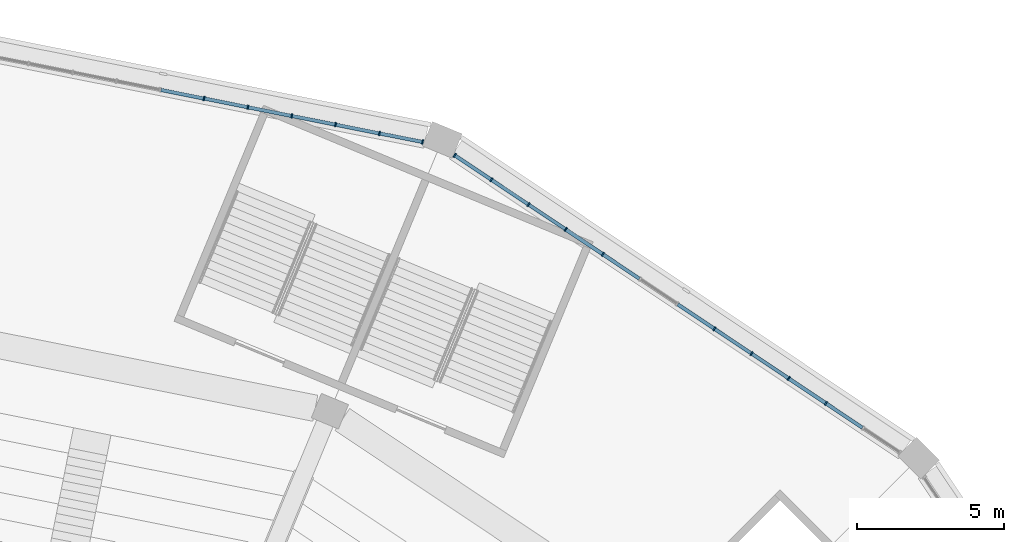
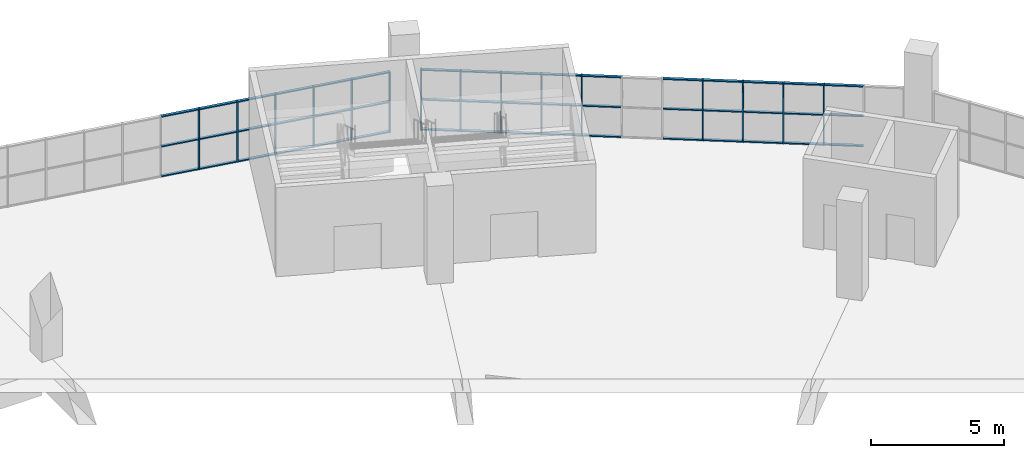
# One storey, part 60 of 249: 63 members, 2 elements without a shape of their own.
"""IFC4 building model written with IfcOpenShell, lengths in metres."""

import ifcopenshell
import ifcopenshell.guid

model = None  # the IFC model being written
_history = None  # IfcOwnerHistory: only IFC2X3 demands one
_inside = {}  # id of a spatial element -> (the spatial element, [elements in it])
_under = {}  # id of a project, library or spatial element -> (it, [spatial elements below it])
_declared = {}  # id of a project -> (the project, [libraries it declares])
_typed = {}  # id of a type object -> (the type object, [elements of that type])
_made_of = {}  # id of a material, layer set ... -> (it, [elements and type objects made of it])


def new_model(schema):
    """Start an empty IFC model of exactly this schema.

    Asked for "IFC4X3", IfcOpenShell would pick the latest addendum, in which some entities
    have other attributes; the version numbers below select the first issue.
    IFC2X3 requires an IfcOwnerHistory on every rooted entity: one is made here for all.
    """
    global model, _history
    if schema == "IFC4X3":
        model = ifcopenshell.file(schema_version=(4, 3, 0, 0))
    else:
        model = ifcopenshell.file(schema=schema)
    _inside.clear()
    _under.clear()
    _declared.clear()
    _typed.clear()
    _made_of.clear()
    _history = None
    if model.schema == "IFC2X3":
        org = make("IfcOrganization", Name="unknown")
        user = make(
            "IfcPersonAndOrganization",
            ThePerson=make("IfcPerson", FamilyName="unknown"),
            TheOrganization=org,
        )
        app = make(
            "IfcApplication",
            ApplicationDeveloper=org,
            Version="unknown",
            ApplicationFullName="unknown",
            ApplicationIdentifier="unknown",
        )
        _history = make(
            "IfcOwnerHistory",
            OwningUser=user,
            OwningApplication=app,
            ChangeAction="ADDED",
            CreationDate=0,
        )
    return model


def make(cls, **values):
    """One entity of the class cls with the attributes given. An attribute that is None is left unset."""
    return model.create_entity(
        cls, **{name: value for name, value in values.items() if value is not None}
    )


def rooted(cls, **values):
    """An entity with a GlobalId (a new one), such as an element, a storey or a relation."""
    return make(cls, GlobalId=ifcopenshell.guid.new(), OwnerHistory=_history, **values)


def si_unit(unit_type, name, prefix=None):
    """IfcSIUnit, for example si_unit("LENGTHUNIT", "METRE", prefix="MILLI")."""
    return make("IfcSIUnit", UnitType=unit_type, Prefix=prefix, Name=name)


def assignment(units):
    """IfcUnitAssignment: the units of a project."""
    return None if units is None else make("IfcUnitAssignment", Units=units)


def point(xyz):
    """IfcCartesianPoint."""
    return None if xyz is None else make("IfcCartesianPoint", Coordinates=xyz)


def direction(xyz):
    """IfcDirection."""
    return None if xyz is None else make("IfcDirection", DirectionRatios=xyz)


def frame(location, z_axis=None, x_axis=None):
    """IfcAxis2Placement3D, a coordinate frame: its origin and axes. An axis left out is left unset."""
    return make(
        "IfcAxis2Placement3D",
        Location=point(location),
        Axis=direction(z_axis),
        RefDirection=direction(x_axis),
    )


def frame_2d(location, x_axis=None):
    """IfcAxis2Placement2D, a coordinate frame in the plane: its origin and x axis."""
    return make(
        "IfcAxis2Placement2D", Location=point(location), RefDirection=direction(x_axis)
    )


def origin():
    """The frame at (0, 0, 0) with its axes left unset."""
    return frame((0.0, 0.0, 0.0))


def origin_2d():
    """The frame at (0, 0) in the plane with its x axis left unset."""
    return frame_2d((0.0, 0.0))


def place(relative_to, where):
    """IfcLocalPlacement: puts the frame where relative to a parent placement (None: the world)."""
    return make(
        "IfcLocalPlacement", PlacementRelTo=relative_to, RelativePlacement=where
    )


def context(
    kind, dimensions, precision=None, world=None, true_north=None, identifier=None
):
    """IfcGeometricRepresentationContext, for example the 3D "Model" context."""
    return make(
        "IfcGeometricRepresentationContext",
        ContextIdentifier=identifier,
        ContextType=kind,
        CoordinateSpaceDimension=dimensions,
        Precision=precision,
        WorldCoordinateSystem=world,
        TrueNorth=true_north,
    )


def subcontext(parent, identifier, kind, view, scale=None):
    """IfcGeometricRepresentationSubContext, for example "Body" below "Model"."""
    return make(
        "IfcGeometricRepresentationSubContext",
        ContextIdentifier=identifier,
        ContextType=kind,
        ParentContext=parent,
        TargetScale=scale,
        TargetView=view,
    )


def project(units=None, contexts=None):
    """IfcProject with its units and contexts."""
    return rooted(
        "IfcProject",
        Name="project",
        RepresentationContexts=contexts,
        UnitsInContext=assignment(units),
    )


def spatial(cls, under=None, at=None, **own):
    """A site, building, storey or space (cls), placed at a placement, below another one or the project."""
    s = rooted(cls, ObjectPlacement=at, **own)
    if under is not None:
        _under.setdefault(under.id(), (under, []))[1].append(s)
    return s


def profile(cls, at=None, kind="AREA", **sizes):
    """A parametric profile (cls). Its sizes go by their IFC names, for example OverallWidth=200.0."""
    return make(cls, ProfileType=kind, Position=at, **sizes)


def rectangle(**sizes):
    """IfcRectangleProfileDef."""
    return profile("IfcRectangleProfileDef", **sizes)


def extrude(swept, where, along, depth):
    """IfcExtrudedAreaSolid: the profile swept, set in the frame where, extruded along a direction by depth."""
    return make(
        "IfcExtrudedAreaSolid",
        SweptArea=swept,
        Position=where,
        ExtrudedDirection=direction(along),
        Depth=depth,
    )


def shape(context_of_items, identifier, shape_type, items):
    """IfcShapeRepresentation: the items that make up one representation, for example the "Body"."""
    return make(
        "IfcShapeRepresentation",
        ContextOfItems=context_of_items,
        RepresentationIdentifier=identifier,
        RepresentationType=shape_type,
        Items=items,
    )


def material(Name=None, Category=None):
    """IfcMaterial."""
    return make("IfcMaterial", Name=Name, Category=Category)


def material_profile(
    of_material, cross_section, Name=None, Category=None, Priority=None
):
    """IfcMaterialProfile: a cross section and its material."""
    return make(
        "IfcMaterialProfile",
        Name=Name,
        Material=of_material,
        Profile=cross_section,
        Priority=Priority,
        Category=Category,
    )


def profile_set(profiles, Name=None, composite=None):
    """IfcMaterialProfileSet."""
    return make(
        "IfcMaterialProfileSet",
        Name=Name,
        MaterialProfiles=profiles,
        CompositeProfile=composite,
    )


def made_of(thing, what):
    """Note that an element or type object is made of a material, layer set ...; save() writes the relation."""
    if what is not None:
        _made_of.setdefault(what.id(), (what, []))[1].append(thing)
    return thing


def type_object(cls, material=None, **own):
    """A type object (cls), such as IfcWallType, which elements share."""
    return made_of(rooted(cls, **own), material)


def element(
    cls,
    number,
    at=None,
    inside=None,
    cuts=None,
    type_object=None,
    material=None,
    context=None,
    identifier="Body",
    shape_type=None,
    held_by="IfcProductDefinitionShape",
    body=None,
    shapes=None,
    **own,
):
    """One element of the class cls, such as IfcWall. Its Tag is "e" and its number.

    at: its placement. inside: the storey or other place that contains it. cuts: it is an
    opening in that element (IfcRelVoidsElement). A single representation is given by context,
    identifier, shape_type and body (its items); several are given by shapes. held_by: the class
    of the entity that holds the representations. save() writes the other relations.
    """
    e = rooted(cls, Tag="e%d" % number, ObjectPlacement=at, **own)
    if body is not None:
        shapes = [shape(context, identifier, shape_type, body)]
    if shapes is not None:
        e.Representation = make(held_by, Representations=shapes)
    if inside is not None:
        _inside.setdefault(inside.id(), (inside, []))[1].append(e)
    if cuts is not None:
        rooted(
            "IfcRelVoidsElement", RelatingBuildingElement=cuts, RelatedOpeningElement=e
        )
    if type_object is not None:
        _typed.setdefault(type_object.id(), (type_object, []))[1].append(e)
    return made_of(e, material)


def aggregate(whole, parts):
    """IfcRelAggregates: a whole, such as a stair, and the parts it consists of."""
    return rooted("IfcRelAggregates", RelatingObject=whole, RelatedObjects=parts)


def save(model, path):
    """Write the relations noted so far, then the file.

    IfcRelAggregates (storeys below a building ...), IfcRelContainedInSpatialStructure (elements
    in a storey), IfcRelDefinesByType, IfcRelAssociatesMaterial and IfcRelDeclares: one each for
    every whole, place, type object, material and project.
    """
    for whole, parts in _under.values():
        aggregate(whole, parts)
    for where, things in _inside.values():
        rooted(
            "IfcRelContainedInSpatialStructure",
            RelatedElements=things,
            RelatingStructure=where,
        )
    for kind, things in _typed.values():
        rooted("IfcRelDefinesByType", RelatedObjects=things, RelatingType=kind)
    for what, things in _made_of.values():
        rooted("IfcRelAssociatesMaterial", RelatedObjects=things, RelatingMaterial=what)
    for by, libraries in _declared.values():
        rooted("IfcRelDeclares", RelatingContext=by, RelatedDefinitions=libraries)
    model.write(path)


model = new_model("IFC4")

# Units and contexts
model_context = context("Model", 3, precision=1e-05, world=origin(), true_north=direction((0.0, 1.0)))
body_context = subcontext(model_context, "Body", "Model", "MODEL_VIEW")
ifc_project = project(units=[si_unit("LENGTHUNIT", "METRE"), si_unit("AREAUNIT", "SQUARE_METRE"), si_unit("VOLUMEUNIT", "CUBIC_METRE"), si_unit("PLANEANGLEUNIT", "RADIAN"), si_unit("MASSUNIT", "GRAM", prefix="KILO")], contexts=[model_context])

# Site, building, storey
site_placement = place(None, origin())
site = spatial("IfcSite", under=ifc_project, at=site_placement, CompositionType="ELEMENT")
building_placement = place(site_placement, origin())
building = spatial("IfcBuilding", under=site, at=building_placement, Name="Ogive Plaza Stadium", CompositionType="ELEMENT")
storey_placement = place(building_placement, frame((0.0, 0.0, 13.5)))
storey = spatial("IfcBuildingStorey", under=building, at=storey_placement, Name="L03", CompositionType="ELEMENT", Elevation=13.5)

# Curtain wall, members
ifc_material_1 = material(Name="Bronze-anodised aluminium with laminated glass", Category="aluminium")
curtain_wall_type = type_object("IfcCurtainWallType", Name="Lancet curtain wall", PredefinedType="NOTDEFINED", material=ifc_material_1)
curtain_wall_1_placement = place(storey_placement, origin())
curtain_wall_1 = element("IfcCurtainWall", 1, at=curtain_wall_1_placement, inside=storey, type_object=curtain_wall_type, Name="CURTAIN WALL B37 L03", PredefinedType="NOTDEFINED")
ifc_material_2 = material(Name="Bronze-anodised aluminium", Category="aluminium")
ifc_material_profile_1 = material_profile(ifc_material_2, rectangle(XDim=0.14990234375, YDim=0.050048828125, at=origin_2d()), Name="AL 150x50")
ifc_profile_set_1 = profile_set([ifc_material_profile_1], Name="Bronze-anodised aluminium")
member_type_1 = type_object("IfcMemberType", Name="Curtain wall mullion 50x150", PredefinedType="MULLION", material=ifc_profile_set_1)
member_1_placement = place(storey_placement, frame((45.021240234375, 100.103759765625, 0.0), z_axis=(0.0, 0.0, 1.0), x_axis=(0.195090322033, 0.9807852804, 0.0)))
member_1 = element("IfcMember", 2, at=member_1_placement, type_object=member_type_1, Name="CW-B37-L03 mullion 8", PredefinedType="MULLION", context=body_context, shape_type="SweptSolid", body=[
    extrude(rectangle(XDim=0.14990234375, YDim=0.050048828125, at=origin_2d()), origin(), (0.0, 0.0, 1.0), 2.7900390625),
])
member_2_placement = place(storey_placement, frame((46.51416015625, 99.806884765625, 0.0), z_axis=(0.0, 0.0, 1.0), x_axis=(0.195090322033, 0.9807852804, 0.0)))
member_2 = element("IfcMember", 3, at=member_2_placement, type_object=member_type_1, Name="CW-B37-L03 mullion 9", PredefinedType="MULLION", context=body_context, shape_type="SweptSolid", body=[
    extrude(rectangle(XDim=0.14990234375, YDim=0.050048828125, at=origin_2d()), origin(), (0.0, 0.0, 1.0), 2.7900390625),
])
member_3_placement = place(storey_placement, frame((48.00732421875, 99.509765625, 0.0), z_axis=(0.0, 0.0, 1.0), x_axis=(0.195090322033, 0.9807852804, 0.0)))
member_3 = element("IfcMember", 4, at=member_3_placement, type_object=member_type_1, Name="CW-B37-L03 mullion 10", PredefinedType="MULLION", context=body_context, shape_type="SweptSolid", body=[
    extrude(rectangle(XDim=0.14990234375, YDim=0.050048828125, at=origin_2d()), origin(), (0.0, 0.0, 1.0), 2.7900390625),
])
member_4_placement = place(storey_placement, frame((49.50048828125, 99.212890625, 0.0), z_axis=(0.0, 0.0, 1.0), x_axis=(0.195090322033, 0.9807852804, 0.0)))
member_4 = element("IfcMember", 5, at=member_4_placement, type_object=member_type_1, Name="CW-B37-L03 mullion 11", PredefinedType="MULLION", context=body_context, shape_type="SweptSolid", body=[
    extrude(rectangle(XDim=0.14990234375, YDim=0.050048828125, at=origin_2d()), origin(), (0.0, 0.0, 1.0), 2.7900390625),
])
member_5_placement = place(storey_placement, frame((50.99365234375, 98.915771484375, 0.0), z_axis=(0.0, 0.0, 1.0), x_axis=(0.195090322033, 0.9807852804, 0.0)))
member_5 = element("IfcMember", 6, at=member_5_placement, type_object=member_type_1, Name="CW-B37-L03 mullion 12", PredefinedType="MULLION", context=body_context, shape_type="SweptSolid", body=[
    extrude(rectangle(XDim=0.14990234375, YDim=0.050048828125, at=origin_2d()), origin(), (0.0, 0.0, 1.0), 2.7900390625),
])
member_6_placement = place(storey_placement, frame((52.462158203125, 98.623779296875, 0.0), z_axis=(0.0, 0.0, 1.0), x_axis=(0.195090322033, 0.9807852804, 0.0)))
member_6 = element("IfcMember", 7, at=member_6_placement, type_object=member_type_1, Name="CW-B37-L03 mullion 13", PredefinedType="MULLION", context=body_context, shape_type="SweptSolid", body=[
    extrude(rectangle(XDim=0.14990234375, YDim=0.050048828125, at=origin_2d()), origin(), (0.0, 0.0, 1.0), 2.7900390625),
])

curtain_wall_2_placement = place(storey_placement, origin())
curtain_wall_2 = element("IfcCurtainWall", 8, at=curtain_wall_2_placement, inside=storey, type_object=curtain_wall_type, Name="CURTAIN WALL B38 L03", PredefinedType="NOTDEFINED")
member_7_placement = place(storey_placement, frame((53.559814453125, 98.169189453125, 0.0), z_axis=(0.0, 0.0, 1.0), x_axis=(0.55557023302, 0.831469612303, 0.0)))
member_7 = element("IfcMember", 9, at=member_7_placement, type_object=member_type_1, Name="CW-B38-L03 mullion 1", PredefinedType="MULLION", context=body_context, shape_type="SweptSolid", body=[
    extrude(rectangle(XDim=0.14990234375, YDim=0.050048828125, at=origin_2d()), origin(), (0.0, 0.0, 1.0), 2.7900390625),
])
member_8_placement = place(storey_placement, frame((54.8046875, 97.337158203125, 0.0), z_axis=(0.0, 0.0, 1.0), x_axis=(0.55557023302, 0.831469612303, 0.0)))
member_8 = element("IfcMember", 10, at=member_8_placement, type_object=member_type_1, Name="CW-B38-L03 mullion 2", PredefinedType="MULLION", context=body_context, shape_type="SweptSolid", body=[
    extrude(rectangle(XDim=0.14990234375, YDim=0.050048828125, at=origin_2d()), origin(), (0.0, 0.0, 1.0), 2.7900390625),
])
member_9_placement = place(storey_placement, frame((56.070556640625, 96.491455078125, 0.0), z_axis=(0.0, 0.0, 1.0), x_axis=(0.55557023302, 0.831469612303, 0.0)))
member_9 = element("IfcMember", 11, at=member_9_placement, type_object=member_type_1, Name="CW-B38-L03 mullion 3", PredefinedType="MULLION", context=body_context, shape_type="SweptSolid", body=[
    extrude(rectangle(XDim=0.14990234375, YDim=0.050048828125, at=origin_2d()), origin(), (0.0, 0.0, 1.0), 2.7900390625),
])
member_10_placement = place(storey_placement, frame((57.336181640625, 95.645751953125, 0.0), z_axis=(0.0, 0.0, 1.0), x_axis=(0.55557023302, 0.831469612303, 0.0)))
member_10 = element("IfcMember", 12, at=member_10_placement, type_object=member_type_1, Name="CW-B38-L03 mullion 4", PredefinedType="MULLION", context=body_context, shape_type="SweptSolid", body=[
    extrude(rectangle(XDim=0.14990234375, YDim=0.050048828125, at=origin_2d()), origin(), (0.0, 0.0, 1.0), 2.7900390625),
])
member_11_placement = place(storey_placement, frame((58.60205078125, 94.7998046875, 0.0), z_axis=(0.0, 0.0, 1.0), x_axis=(0.55557023302, 0.831469612303, 0.0)))
member_11 = element("IfcMember", 13, at=member_11_placement, type_object=member_type_1, Name="CW-B38-L03 mullion 5", PredefinedType="MULLION", context=body_context, shape_type="SweptSolid", body=[
    extrude(rectangle(XDim=0.14990234375, YDim=0.050048828125, at=origin_2d()), origin(), (0.0, 0.0, 1.0), 2.7900390625),
])
member_12_placement = place(storey_placement, frame((62.3994140625, 92.2626953125, 0.0), z_axis=(0.0, 0.0, 1.0), x_axis=(0.55557023302, 0.831469612303, 0.0)))
member_12 = element("IfcMember", 14, at=member_12_placement, type_object=member_type_1, Name="CW-B38-L03 mullion 8", PredefinedType="MULLION", context=body_context, shape_type="SweptSolid", body=[
    extrude(rectangle(XDim=0.14990234375, YDim=0.050048828125, at=origin_2d()), origin(), (0.0, 0.0, 1.0), 2.7900390625),
])
member_13_placement = place(storey_placement, frame((63.665283203125, 91.416748046875, 0.0), z_axis=(0.0, 0.0, 1.0), x_axis=(0.55557023302, 0.831469612303, 0.0)))
member_13 = element("IfcMember", 15, at=member_13_placement, type_object=member_type_1, Name="CW-B38-L03 mullion 9", PredefinedType="MULLION", context=body_context, shape_type="SweptSolid", body=[
    extrude(rectangle(XDim=0.14990234375, YDim=0.050048828125, at=origin_2d()), origin(), (0.0, 0.0, 1.0), 2.7900390625),
])
member_14_placement = place(storey_placement, frame((64.930908203125, 90.571044921875, 0.0), z_axis=(0.0, 0.0, 1.0), x_axis=(0.55557023302, 0.831469612303, 0.0)))
member_14 = element("IfcMember", 16, at=member_14_placement, type_object=member_type_1, Name="CW-B38-L03 mullion 10", PredefinedType="MULLION", context=body_context, shape_type="SweptSolid", body=[
    extrude(rectangle(XDim=0.14990234375, YDim=0.050048828125, at=origin_2d()), origin(), (0.0, 0.0, 1.0), 2.7900390625),
])
member_15_placement = place(storey_placement, frame((66.19677734375, 89.725341796875, 0.0), z_axis=(0.0, 0.0, 1.0), x_axis=(0.55557023302, 0.831469612303, 0.0)))
member_15 = element("IfcMember", 17, at=member_15_placement, type_object=member_type_1, Name="CW-B38-L03 mullion 11", PredefinedType="MULLION", context=body_context, shape_type="SweptSolid", body=[
    extrude(rectangle(XDim=0.14990234375, YDim=0.050048828125, at=origin_2d()), origin(), (0.0, 0.0, 1.0), 2.7900390625),
])

# Member
ifc_material_3 = material(Name="Bronze-anodised aluminium", Category="aluminium")
ifc_material_profile_2 = material_profile(ifc_material_3, rectangle(XDim=0.1201171875, YDim=0.050048828125, at=origin_2d()), Name="AL 120x50")
ifc_profile_set_2 = profile_set([ifc_material_profile_2], Name="Bronze-anodised aluminium")
member_type_2 = type_object("IfcMemberType", Name="Curtain wall transom 50x120", PredefinedType="USERDEFINED", material=ifc_profile_set_2)
member_16_placement = place(storey_placement, frame((43.552490234375, 100.39599609375, 0.02490234375), z_axis=(0.980771529367, -0.195159440417, 0.0), x_axis=(0.195159440417, 0.980771529367, 0.0)))
member_16 = element("IfcMember", 18, at=member_16_placement, type_object=member_type_2, Name="CW-B37-L03 transom 7.1", ObjectType="TRANSOM", PredefinedType="USERDEFINED", context=body_context, shape_type="SweptSolid", body=[
    extrude(rectangle(XDim=0.1201171875, YDim=0.050048828125, at=origin_2d()), origin(), (0.0, 0.0, 1.0), 1.472412109375),
])

member_17_placement = place(storey_placement, frame((43.552490234375, 100.39599609375, 1.39501953125), z_axis=(0.980771529367, -0.195159440417, 0.0), x_axis=(0.195159440417, 0.980771529367, 0.0)))
member_17 = element("IfcMember", 19, at=member_17_placement, type_object=member_type_2, Name="CW-B37-L03 transom 7.2", ObjectType="TRANSOM", PredefinedType="USERDEFINED", context=body_context, shape_type="SweptSolid", body=[
    extrude(rectangle(XDim=0.1201171875, YDim=0.050048828125, at=origin_2d()), origin(), (0.0, 0.0, 1.0), 1.472412109375),
])

member_18_placement = place(storey_placement, frame((43.552490234375, 100.39599609375, 2.764892578125), z_axis=(0.980771529367, -0.195159440417, 0.0), x_axis=(0.195159440417, 0.980771529367, 0.0)))
member_18 = element("IfcMember", 20, at=member_18_placement, type_object=member_type_2, Name="CW-B37-L03 transom 7.3", ObjectType="TRANSOM", PredefinedType="USERDEFINED", context=body_context, shape_type="SweptSolid", body=[
    extrude(rectangle(XDim=0.1201171875, YDim=0.050048828125, at=origin_2d()), origin(), (0.0, 0.0, 1.0), 1.472412109375),
])

member_19_placement = place(storey_placement, frame((45.045654296875, 100.098876953125, 0.02490234375), z_axis=(0.980803254763, -0.194999937042, 0.0), x_axis=(0.194999937042, 0.980803254763, 0.0)))
member_19 = element("IfcMember", 21, at=member_19_placement, type_object=member_type_2, Name="CW-B37-L03 transom 8.1", ObjectType="TRANSOM", PredefinedType="USERDEFINED", context=body_context, shape_type="SweptSolid", body=[
    extrude(rectangle(XDim=0.1201171875, YDim=0.050048828125, at=origin_2d()), origin(), (0.0, 0.0, 1.0), 1.472412109375),
])

member_20_placement = place(storey_placement, frame((45.045654296875, 100.098876953125, 1.39501953125), z_axis=(0.980803254763, -0.194999937042, 0.0), x_axis=(0.194999937042, 0.980803254763, 0.0)))
member_20 = element("IfcMember", 22, at=member_20_placement, type_object=member_type_2, Name="CW-B37-L03 transom 8.2", ObjectType="TRANSOM", PredefinedType="USERDEFINED", context=body_context, shape_type="SweptSolid", body=[
    extrude(rectangle(XDim=0.1201171875, YDim=0.050048828125, at=origin_2d()), origin(), (0.0, 0.0, 1.0), 1.472412109375),
])

member_21_placement = place(storey_placement, frame((45.045654296875, 100.098876953125, 2.764892578125), z_axis=(0.980803254763, -0.194999937042, 0.0), x_axis=(0.194999937042, 0.980803254763, 0.0)))
member_21 = element("IfcMember", 23, at=member_21_placement, type_object=member_type_2, Name="CW-B37-L03 transom 8.3", ObjectType="TRANSOM", PredefinedType="USERDEFINED", context=body_context, shape_type="SweptSolid", body=[
    extrude(rectangle(XDim=0.1201171875, YDim=0.050048828125, at=origin_2d()), origin(), (0.0, 0.0, 1.0), 1.472412109375),
])

member_22_placement = place(storey_placement, frame((46.538818359375, 99.802001953125, 0.02490234375), z_axis=(0.980771529367, -0.195159440417, 0.0), x_axis=(0.195159440417, 0.980771529367, 0.0)))
member_22 = element("IfcMember", 24, at=member_22_placement, type_object=member_type_2, Name="CW-B37-L03 transom 9.1", ObjectType="TRANSOM", PredefinedType="USERDEFINED", context=body_context, shape_type="SweptSolid", body=[
    extrude(rectangle(XDim=0.1201171875, YDim=0.050048828125, at=origin_2d()), origin(), (0.0, 0.0, 1.0), 1.472412109375),
])

member_23_placement = place(storey_placement, frame((46.538818359375, 99.802001953125, 1.39501953125), z_axis=(0.980771529367, -0.195159440417, 0.0), x_axis=(0.195159440417, 0.980771529367, 0.0)))
member_23 = element("IfcMember", 25, at=member_23_placement, type_object=member_type_2, Name="CW-B37-L03 transom 9.2", ObjectType="TRANSOM", PredefinedType="USERDEFINED", context=body_context, shape_type="SweptSolid", body=[
    extrude(rectangle(XDim=0.1201171875, YDim=0.050048828125, at=origin_2d()), origin(), (0.0, 0.0, 1.0), 1.472412109375),
])

member_24_placement = place(storey_placement, frame((46.538818359375, 99.802001953125, 2.764892578125), z_axis=(0.980771529367, -0.195159440417, 0.0), x_axis=(0.195159440417, 0.980771529367, 0.0)))
member_24 = element("IfcMember", 26, at=member_24_placement, type_object=member_type_2, Name="CW-B37-L03 transom 9.3", ObjectType="TRANSOM", PredefinedType="USERDEFINED", context=body_context, shape_type="SweptSolid", body=[
    extrude(rectangle(XDim=0.1201171875, YDim=0.050048828125, at=origin_2d()), origin(), (0.0, 0.0, 1.0), 1.472412109375),
])

member_25_placement = place(storey_placement, frame((48.031982421875, 99.5048828125, 0.02490234375), z_axis=(0.980796948065, -0.19503165555, 0.0), x_axis=(0.19503165555, 0.980796948065, 0.0)))
member_25 = element("IfcMember", 27, at=member_25_placement, type_object=member_type_2, Name="CW-B37-L03 transom 10.1", ObjectType="TRANSOM", PredefinedType="USERDEFINED", context=body_context, shape_type="SweptSolid", body=[
    extrude(rectangle(XDim=0.1201171875, YDim=0.050048828125, at=origin_2d()), origin(), (0.0, 0.0, 1.0), 1.47216796875),
])

member_26_placement = place(storey_placement, frame((48.031982421875, 99.5048828125, 1.39501953125), z_axis=(0.980796948065, -0.19503165555, 0.0), x_axis=(0.19503165555, 0.980796948065, 0.0)))
member_26 = element("IfcMember", 28, at=member_26_placement, type_object=member_type_2, Name="CW-B37-L03 transom 10.2", ObjectType="TRANSOM", PredefinedType="USERDEFINED", context=body_context, shape_type="SweptSolid", body=[
    extrude(rectangle(XDim=0.1201171875, YDim=0.050048828125, at=origin_2d()), origin(), (0.0, 0.0, 1.0), 1.47216796875),
])

member_27_placement = place(storey_placement, frame((48.031982421875, 99.5048828125, 2.764892578125), z_axis=(0.980796948065, -0.19503165555, 0.0), x_axis=(0.19503165555, 0.980796948065, 0.0)))
member_27 = element("IfcMember", 29, at=member_27_placement, type_object=member_type_2, Name="CW-B37-L03 transom 10.3", ObjectType="TRANSOM", PredefinedType="USERDEFINED", context=body_context, shape_type="SweptSolid", body=[
    extrude(rectangle(XDim=0.1201171875, YDim=0.050048828125, at=origin_2d()), origin(), (0.0, 0.0, 1.0), 1.47216796875),
])

member_28_placement = place(storey_placement, frame((49.52490234375, 99.2080078125, 0.02490234375), z_axis=(0.980771529367, -0.195159440417, 0.0), x_axis=(0.195159440417, 0.980771529367, 0.0)))
member_28 = element("IfcMember", 30, at=member_28_placement, type_object=member_type_2, Name="CW-B37-L03 transom 11.1", ObjectType="TRANSOM", PredefinedType="USERDEFINED", context=body_context, shape_type="SweptSolid", body=[
    extrude(rectangle(XDim=0.1201171875, YDim=0.050048828125, at=origin_2d()), origin(), (0.0, 0.0, 1.0), 1.472412109375),
])

member_29_placement = place(storey_placement, frame((49.52490234375, 99.2080078125, 1.39501953125), z_axis=(0.980771529367, -0.195159440417, 0.0), x_axis=(0.195159440417, 0.980771529367, 0.0)))
member_29 = element("IfcMember", 31, at=member_29_placement, type_object=member_type_2, Name="CW-B37-L03 transom 11.2", ObjectType="TRANSOM", PredefinedType="USERDEFINED", context=body_context, shape_type="SweptSolid", body=[
    extrude(rectangle(XDim=0.1201171875, YDim=0.050048828125, at=origin_2d()), origin(), (0.0, 0.0, 1.0), 1.472412109375),
])

member_30_placement = place(storey_placement, frame((49.52490234375, 99.2080078125, 2.764892578125), z_axis=(0.980771529367, -0.195159440417, 0.0), x_axis=(0.195159440417, 0.980771529367, 0.0)))
member_30 = element("IfcMember", 32, at=member_30_placement, type_object=member_type_2, Name="CW-B37-L03 transom 11.3", ObjectType="TRANSOM", PredefinedType="USERDEFINED", context=body_context, shape_type="SweptSolid", body=[
    extrude(rectangle(XDim=0.1201171875, YDim=0.050048828125, at=origin_2d()), origin(), (0.0, 0.0, 1.0), 1.472412109375),
])

member_31_placement = place(storey_placement, frame((51.01806640625, 98.910888671875, 0.02490234375), z_axis=(0.98080065826, -0.195012996379, 0.0), x_axis=(0.195012996379, 0.98080065826, 0.0)))
member_31 = element("IfcMember", 33, at=member_31_placement, type_object=member_type_2, Name="CW-B37-L03 transom 12.1", ObjectType="TRANSOM", PredefinedType="USERDEFINED", context=body_context, shape_type="SweptSolid", body=[
    extrude(rectangle(XDim=0.1201171875, YDim=0.050048828125, at=origin_2d()), origin(), (0.0, 0.0, 1.0), 1.447265625),
])

member_32_placement = place(storey_placement, frame((51.01806640625, 98.910888671875, 1.39501953125), z_axis=(0.98080065826, -0.195012996379, 0.0), x_axis=(0.195012996379, 0.98080065826, 0.0)))
member_32 = element("IfcMember", 34, at=member_32_placement, type_object=member_type_2, Name="CW-B37-L03 transom 12.2", ObjectType="TRANSOM", PredefinedType="USERDEFINED", context=body_context, shape_type="SweptSolid", body=[
    extrude(rectangle(XDim=0.1201171875, YDim=0.050048828125, at=origin_2d()), origin(), (0.0, 0.0, 1.0), 1.447265625),
])

member_33_placement = place(storey_placement, frame((51.01806640625, 98.910888671875, 2.764892578125), z_axis=(0.98080065826, -0.195012996379, 0.0), x_axis=(0.195012996379, 0.98080065826, 0.0)))
member_33 = element("IfcMember", 35, at=member_33_placement, type_object=member_type_2, Name="CW-B37-L03 transom 12.3", ObjectType="TRANSOM", PredefinedType="USERDEFINED", context=body_context, shape_type="SweptSolid", body=[
    extrude(rectangle(XDim=0.1201171875, YDim=0.050048828125, at=origin_2d()), origin(), (0.0, 0.0, 1.0), 1.447265625),
])

aggregate(curtain_wall_1, [member_1, member_2, member_3, member_4, member_5, member_6, member_16, member_17, member_18, member_19, member_20, member_21, member_22, member_23, member_24, member_25, member_26, member_27, member_28, member_29, member_30, member_31, member_32, member_33])

member_34_placement = place(storey_placement, frame((53.58056640625, 98.1552734375, 0.02490234375), z_axis=(0.831426948977, -0.555634077892, 0.0), x_axis=(0.555634077892, 0.831426948977, 0.0)))
member_34 = element("IfcMember", 36, at=member_34_placement, type_object=member_type_2, Name="CW-B38-L03 transom 1.1", ObjectType="TRANSOM", PredefinedType="USERDEFINED", context=body_context, shape_type="SweptSolid", body=[
    extrude(rectangle(XDim=0.1201171875, YDim=0.050048828125, at=origin_2d()), origin(), (0.0, 0.0, 1.0), 1.447265625),
])

member_35_placement = place(storey_placement, frame((53.58056640625, 98.1552734375, 1.39501953125), z_axis=(0.831426948977, -0.555634077892, 0.0), x_axis=(0.555634077892, 0.831426948977, 0.0)))
member_35 = element("IfcMember", 37, at=member_35_placement, type_object=member_type_2, Name="CW-B38-L03 transom 1.2", ObjectType="TRANSOM", PredefinedType="USERDEFINED", context=body_context, shape_type="SweptSolid", body=[
    extrude(rectangle(XDim=0.1201171875, YDim=0.050048828125, at=origin_2d()), origin(), (0.0, 0.0, 1.0), 1.447265625),
])

member_36_placement = place(storey_placement, frame((53.58056640625, 98.1552734375, 2.764892578125), z_axis=(0.831426948977, -0.555634077892, 0.0), x_axis=(0.555634077892, 0.831426948977, 0.0)))
member_36 = element("IfcMember", 38, at=member_36_placement, type_object=member_type_2, Name="CW-B38-L03 transom 1.3", ObjectType="TRANSOM", PredefinedType="USERDEFINED", context=body_context, shape_type="SweptSolid", body=[
    extrude(rectangle(XDim=0.1201171875, YDim=0.050048828125, at=origin_2d()), origin(), (0.0, 0.0, 1.0), 1.447265625),
])

member_37_placement = place(storey_placement, frame((54.825439453125, 97.3232421875, 0.02490234375), z_axis=(0.83153975619, -0.555465240925, 0.0), x_axis=(0.555465240925, 0.83153975619, 0.0)))
member_37 = element("IfcMember", 39, at=member_37_placement, type_object=member_type_2, Name="CW-B38-L03 transom 2.1", ObjectType="TRANSOM", PredefinedType="USERDEFINED", context=body_context, shape_type="SweptSolid", body=[
    extrude(rectangle(XDim=0.1201171875, YDim=0.050048828125, at=origin_2d()), origin(), (0.0, 0.0, 1.0), 1.472412109375),
])

member_38_placement = place(storey_placement, frame((54.825439453125, 97.3232421875, 1.39501953125), z_axis=(0.83153975619, -0.555465240925, 0.0), x_axis=(0.555465240925, 0.83153975619, 0.0)))
member_38 = element("IfcMember", 40, at=member_38_placement, type_object=member_type_2, Name="CW-B38-L03 transom 2.2", ObjectType="TRANSOM", PredefinedType="USERDEFINED", context=body_context, shape_type="SweptSolid", body=[
    extrude(rectangle(XDim=0.1201171875, YDim=0.050048828125, at=origin_2d()), origin(), (0.0, 0.0, 1.0), 1.472412109375),
])

member_39_placement = place(storey_placement, frame((54.825439453125, 97.3232421875, 2.764892578125), z_axis=(0.83153975619, -0.555465240925, 0.0), x_axis=(0.555465240925, 0.83153975619, 0.0)))
member_39 = element("IfcMember", 41, at=member_39_placement, type_object=member_type_2, Name="CW-B38-L03 transom 2.3", ObjectType="TRANSOM", PredefinedType="USERDEFINED", context=body_context, shape_type="SweptSolid", body=[
    extrude(rectangle(XDim=0.1201171875, YDim=0.050048828125, at=origin_2d()), origin(), (0.0, 0.0, 1.0), 1.472412109375),
])

member_40_placement = place(storey_placement, frame((56.09130859375, 96.4775390625, 0.02490234375), z_axis=(0.831488586159, -0.555541835587, 0.0), x_axis=(0.555541835587, 0.831488586159, 0.0)))
member_40 = element("IfcMember", 42, at=member_40_placement, type_object=member_type_2, Name="CW-B38-L03 transom 3.1", ObjectType="TRANSOM", PredefinedType="USERDEFINED", context=body_context, shape_type="SweptSolid", body=[
    extrude(rectangle(XDim=0.1201171875, YDim=0.050048828125, at=origin_2d()), origin(), (0.0, 0.0, 1.0), 1.47216796875),
])

member_41_placement = place(storey_placement, frame((56.09130859375, 96.4775390625, 1.39501953125), z_axis=(0.831488586159, -0.555541835587, 0.0), x_axis=(0.555541835587, 0.831488586159, 0.0)))
member_41 = element("IfcMember", 43, at=member_41_placement, type_object=member_type_2, Name="CW-B38-L03 transom 3.2", ObjectType="TRANSOM", PredefinedType="USERDEFINED", context=body_context, shape_type="SweptSolid", body=[
    extrude(rectangle(XDim=0.1201171875, YDim=0.050048828125, at=origin_2d()), origin(), (0.0, 0.0, 1.0), 1.47216796875),
])

member_42_placement = place(storey_placement, frame((56.09130859375, 96.4775390625, 2.764892578125), z_axis=(0.831488586159, -0.555541835587, 0.0), x_axis=(0.555541835587, 0.831488586159, 0.0)))
member_42 = element("IfcMember", 44, at=member_42_placement, type_object=member_type_2, Name="CW-B38-L03 transom 3.3", ObjectType="TRANSOM", PredefinedType="USERDEFINED", context=body_context, shape_type="SweptSolid", body=[
    extrude(rectangle(XDim=0.1201171875, YDim=0.050048828125, at=origin_2d()), origin(), (0.0, 0.0, 1.0), 1.47216796875),
])

member_43_placement = place(storey_placement, frame((57.357177734375, 95.6318359375, 0.02490234375), z_axis=(0.831411982446, -0.555656472512, 0.0), x_axis=(0.555656472512, 0.831411982446, 0.0)))
member_43 = element("IfcMember", 45, at=member_43_placement, type_object=member_type_2, Name="CW-B38-L03 transom 4.1", ObjectType="TRANSOM", PredefinedType="USERDEFINED", context=body_context, shape_type="SweptSolid", body=[
    extrude(rectangle(XDim=0.1201171875, YDim=0.050048828125, at=origin_2d()), origin(), (0.0, 0.0, 1.0), 1.472412109375),
])

member_44_placement = place(storey_placement, frame((57.357177734375, 95.6318359375, 1.39501953125), z_axis=(0.831411982446, -0.555656472512, 0.0), x_axis=(0.555656472512, 0.831411982446, 0.0)))
member_44 = element("IfcMember", 46, at=member_44_placement, type_object=member_type_2, Name="CW-B38-L03 transom 4.2", ObjectType="TRANSOM", PredefinedType="USERDEFINED", context=body_context, shape_type="SweptSolid", body=[
    extrude(rectangle(XDim=0.1201171875, YDim=0.050048828125, at=origin_2d()), origin(), (0.0, 0.0, 1.0), 1.472412109375),
])

member_45_placement = place(storey_placement, frame((57.357177734375, 95.6318359375, 2.764892578125), z_axis=(0.831411982446, -0.555656472512, 0.0), x_axis=(0.555656472512, 0.831411982446, 0.0)))
member_45 = element("IfcMember", 47, at=member_45_placement, type_object=member_type_2, Name="CW-B38-L03 transom 4.3", ObjectType="TRANSOM", PredefinedType="USERDEFINED", context=body_context, shape_type="SweptSolid", body=[
    extrude(rectangle(XDim=0.1201171875, YDim=0.050048828125, at=origin_2d()), origin(), (0.0, 0.0, 1.0), 1.472412109375),
])

member_46_placement = place(storey_placement, frame((58.622802734375, 94.7861328125, 0.02490234375), z_axis=(0.831463168883, -0.555579876157, 0.0), x_axis=(0.555579876157, 0.831463168883, 0.0)))
member_46 = element("IfcMember", 48, at=member_46_placement, type_object=member_type_2, Name="CW-B38-L03 transom 5.1", ObjectType="TRANSOM", PredefinedType="USERDEFINED", context=body_context, shape_type="SweptSolid", body=[
    extrude(rectangle(XDim=0.1201171875, YDim=0.050048828125, at=origin_2d()), origin(), (0.0, 0.0, 1.0), 1.47265625),
])

member_47_placement = place(storey_placement, frame((58.622802734375, 94.7861328125, 1.39501953125), z_axis=(0.831463168883, -0.555579876157, 0.0), x_axis=(0.555579876157, 0.831463168883, 0.0)))
member_47 = element("IfcMember", 49, at=member_47_placement, type_object=member_type_2, Name="CW-B38-L03 transom 5.2", ObjectType="TRANSOM", PredefinedType="USERDEFINED", context=body_context, shape_type="SweptSolid", body=[
    extrude(rectangle(XDim=0.1201171875, YDim=0.050048828125, at=origin_2d()), origin(), (0.0, 0.0, 1.0), 1.47265625),
])

member_48_placement = place(storey_placement, frame((58.622802734375, 94.7861328125, 2.764892578125), z_axis=(0.831463168883, -0.555579876157, 0.0), x_axis=(0.555579876157, 0.831463168883, 0.0)))
member_48 = element("IfcMember", 50, at=member_48_placement, type_object=member_type_2, Name="CW-B38-L03 transom 5.3", ObjectType="TRANSOM", PredefinedType="USERDEFINED", context=body_context, shape_type="SweptSolid", body=[
    extrude(rectangle(XDim=0.1201171875, YDim=0.050048828125, at=origin_2d()), origin(), (0.0, 0.0, 1.0), 1.47265625),
])

member_49_placement = place(storey_placement, frame((61.154541015625, 93.094482421875, 0.02490234375), z_axis=(0.831411982446, -0.555656472512, 0.0), x_axis=(0.555656472512, 0.831411982446, 0.0)))
member_49 = element("IfcMember", 51, at=member_49_placement, type_object=member_type_2, Name="CW-B38-L03 transom 7.1", ObjectType="TRANSOM", PredefinedType="USERDEFINED", context=body_context, shape_type="SweptSolid", body=[
    extrude(rectangle(XDim=0.1201171875, YDim=0.050048828125, at=origin_2d()), origin(), (0.0, 0.0, 1.0), 1.472412109375),
])

member_50_placement = place(storey_placement, frame((61.154541015625, 93.094482421875, 1.39501953125), z_axis=(0.831411982446, -0.555656472512, 0.0), x_axis=(0.555656472512, 0.831411982446, 0.0)))
member_50 = element("IfcMember", 52, at=member_50_placement, type_object=member_type_2, Name="CW-B38-L03 transom 7.2", ObjectType="TRANSOM", PredefinedType="USERDEFINED", context=body_context, shape_type="SweptSolid", body=[
    extrude(rectangle(XDim=0.1201171875, YDim=0.050048828125, at=origin_2d()), origin(), (0.0, 0.0, 1.0), 1.472412109375),
])

member_51_placement = place(storey_placement, frame((61.154541015625, 93.094482421875, 2.764892578125), z_axis=(0.831411982446, -0.555656472512, 0.0), x_axis=(0.555656472512, 0.831411982446, 0.0)))
member_51 = element("IfcMember", 53, at=member_51_placement, type_object=member_type_2, Name="CW-B38-L03 transom 7.3", ObjectType="TRANSOM", PredefinedType="USERDEFINED", context=body_context, shape_type="SweptSolid", body=[
    extrude(rectangle(XDim=0.1201171875, YDim=0.050048828125, at=origin_2d()), origin(), (0.0, 0.0, 1.0), 1.472412109375),
])

member_52_placement = place(storey_placement, frame((62.420166015625, 92.248779296875, 0.02490234375), z_axis=(0.831463168883, -0.555579876157, 0.0), x_axis=(0.555579876157, 0.831463168883, 0.0)))
member_52 = element("IfcMember", 54, at=member_52_placement, type_object=member_type_2, Name="CW-B38-L03 transom 8.1", ObjectType="TRANSOM", PredefinedType="USERDEFINED", context=body_context, shape_type="SweptSolid", body=[
    extrude(rectangle(XDim=0.1201171875, YDim=0.050048828125, at=origin_2d()), origin(), (0.0, 0.0, 1.0), 1.47265625),
])

member_53_placement = place(storey_placement, frame((62.420166015625, 92.248779296875, 1.39501953125), z_axis=(0.831463168883, -0.555579876157, 0.0), x_axis=(0.555579876157, 0.831463168883, 0.0)))
member_53 = element("IfcMember", 55, at=member_53_placement, type_object=member_type_2, Name="CW-B38-L03 transom 8.2", ObjectType="TRANSOM", PredefinedType="USERDEFINED", context=body_context, shape_type="SweptSolid", body=[
    extrude(rectangle(XDim=0.1201171875, YDim=0.050048828125, at=origin_2d()), origin(), (0.0, 0.0, 1.0), 1.47265625),
])

member_54_placement = place(storey_placement, frame((62.420166015625, 92.248779296875, 2.764892578125), z_axis=(0.831463168883, -0.555579876157, 0.0), x_axis=(0.555579876157, 0.831463168883, 0.0)))
member_54 = element("IfcMember", 56, at=member_54_placement, type_object=member_type_2, Name="CW-B38-L03 transom 8.3", ObjectType="TRANSOM", PredefinedType="USERDEFINED", context=body_context, shape_type="SweptSolid", body=[
    extrude(rectangle(XDim=0.1201171875, YDim=0.050048828125, at=origin_2d()), origin(), (0.0, 0.0, 1.0), 1.47265625),
])

member_55_placement = place(storey_placement, frame((63.68603515625, 91.40283203125, 0.02490234375), z_axis=(0.831488586159, -0.555541835587, 0.0), x_axis=(0.555541835587, 0.831488586159, 0.0)))
member_55 = element("IfcMember", 57, at=member_55_placement, type_object=member_type_2, Name="CW-B38-L03 transom 9.1", ObjectType="TRANSOM", PredefinedType="USERDEFINED", context=body_context, shape_type="SweptSolid", body=[
    extrude(rectangle(XDim=0.1201171875, YDim=0.050048828125, at=origin_2d()), origin(), (0.0, 0.0, 1.0), 1.47216796875),
])

member_56_placement = place(storey_placement, frame((63.68603515625, 91.40283203125, 1.39501953125), z_axis=(0.831488586159, -0.555541835587, 0.0), x_axis=(0.555541835587, 0.831488586159, 0.0)))
member_56 = element("IfcMember", 58, at=member_56_placement, type_object=member_type_2, Name="CW-B38-L03 transom 9.2", ObjectType="TRANSOM", PredefinedType="USERDEFINED", context=body_context, shape_type="SweptSolid", body=[
    extrude(rectangle(XDim=0.1201171875, YDim=0.050048828125, at=origin_2d()), origin(), (0.0, 0.0, 1.0), 1.47216796875),
])

member_57_placement = place(storey_placement, frame((63.68603515625, 91.40283203125, 2.764892578125), z_axis=(0.831488586159, -0.555541835587, 0.0), x_axis=(0.555541835587, 0.831488586159, 0.0)))
member_57 = element("IfcMember", 59, at=member_57_placement, type_object=member_type_2, Name="CW-B38-L03 transom 9.3", ObjectType="TRANSOM", PredefinedType="USERDEFINED", context=body_context, shape_type="SweptSolid", body=[
    extrude(rectangle(XDim=0.1201171875, YDim=0.050048828125, at=origin_2d()), origin(), (0.0, 0.0, 1.0), 1.47216796875),
])

member_58_placement = place(storey_placement, frame((64.95166015625, 90.55712890625, 0.02490234375), z_axis=(0.83153975619, -0.555465240925, 0.0), x_axis=(0.555465240925, 0.83153975619, 0.0)))
member_58 = element("IfcMember", 60, at=member_58_placement, type_object=member_type_2, Name="CW-B38-L03 transom 10.1", ObjectType="TRANSOM", PredefinedType="USERDEFINED", context=body_context, shape_type="SweptSolid", body=[
    extrude(rectangle(XDim=0.1201171875, YDim=0.050048828125, at=origin_2d()), origin(), (0.0, 0.0, 1.0), 1.472412109375),
])

member_59_placement = place(storey_placement, frame((64.95166015625, 90.55712890625, 1.39501953125), z_axis=(0.83153975619, -0.555465240925, 0.0), x_axis=(0.555465240925, 0.83153975619, 0.0)))
member_59 = element("IfcMember", 61, at=member_59_placement, type_object=member_type_2, Name="CW-B38-L03 transom 10.2", ObjectType="TRANSOM", PredefinedType="USERDEFINED", context=body_context, shape_type="SweptSolid", body=[
    extrude(rectangle(XDim=0.1201171875, YDim=0.050048828125, at=origin_2d()), origin(), (0.0, 0.0, 1.0), 1.472412109375),
])

member_60_placement = place(storey_placement, frame((64.95166015625, 90.55712890625, 2.764892578125), z_axis=(0.83153975619, -0.555465240925, 0.0), x_axis=(0.555465240925, 0.83153975619, 0.0)))
member_60 = element("IfcMember", 62, at=member_60_placement, type_object=member_type_2, Name="CW-B38-L03 transom 10.3", ObjectType="TRANSOM", PredefinedType="USERDEFINED", context=body_context, shape_type="SweptSolid", body=[
    extrude(rectangle(XDim=0.1201171875, YDim=0.050048828125, at=origin_2d()), origin(), (0.0, 0.0, 1.0), 1.472412109375),
])

member_61_placement = place(storey_placement, frame((66.217529296875, 89.71142578125, 0.02490234375), z_axis=(0.831411982446, -0.555656472512, 0.0), x_axis=(0.555656472512, 0.831411982446, 0.0)))
member_61 = element("IfcMember", 63, at=member_61_placement, type_object=member_type_2, Name="CW-B38-L03 transom 11.1", ObjectType="TRANSOM", PredefinedType="USERDEFINED", context=body_context, shape_type="SweptSolid", body=[
    extrude(rectangle(XDim=0.1201171875, YDim=0.050048828125, at=origin_2d()), origin(), (0.0, 0.0, 1.0), 1.472412109375),
])

member_62_placement = place(storey_placement, frame((66.217529296875, 89.71142578125, 1.39501953125), z_axis=(0.831411982446, -0.555656472512, 0.0), x_axis=(0.555656472512, 0.831411982446, 0.0)))
member_62 = element("IfcMember", 64, at=member_62_placement, type_object=member_type_2, Name="CW-B38-L03 transom 11.2", ObjectType="TRANSOM", PredefinedType="USERDEFINED", context=body_context, shape_type="SweptSolid", body=[
    extrude(rectangle(XDim=0.1201171875, YDim=0.050048828125, at=origin_2d()), origin(), (0.0, 0.0, 1.0), 1.472412109375),
])

member_63_placement = place(storey_placement, frame((66.217529296875, 89.71142578125, 2.764892578125), z_axis=(0.831411982446, -0.555656472512, 0.0), x_axis=(0.555656472512, 0.831411982446, 0.0)))
member_63 = element("IfcMember", 65, at=member_63_placement, type_object=member_type_2, Name="CW-B38-L03 transom 11.3", ObjectType="TRANSOM", PredefinedType="USERDEFINED", context=body_context, shape_type="SweptSolid", body=[
    extrude(rectangle(XDim=0.1201171875, YDim=0.050048828125, at=origin_2d()), origin(), (0.0, 0.0, 1.0), 1.472412109375),
])

aggregate(curtain_wall_2, [member_7, member_8, member_9, member_10, member_11, member_12, member_13, member_14, member_15, member_34, member_35, member_36, member_37, member_38, member_39, member_40, member_41, member_42, member_43, member_44, member_45, member_46, member_47, member_48, member_49, member_50, member_51, member_52, member_53, member_54, member_55, member_56, member_57, member_58, member_59, member_60, member_61, member_62, member_63])

save(model, "model.ifc")
